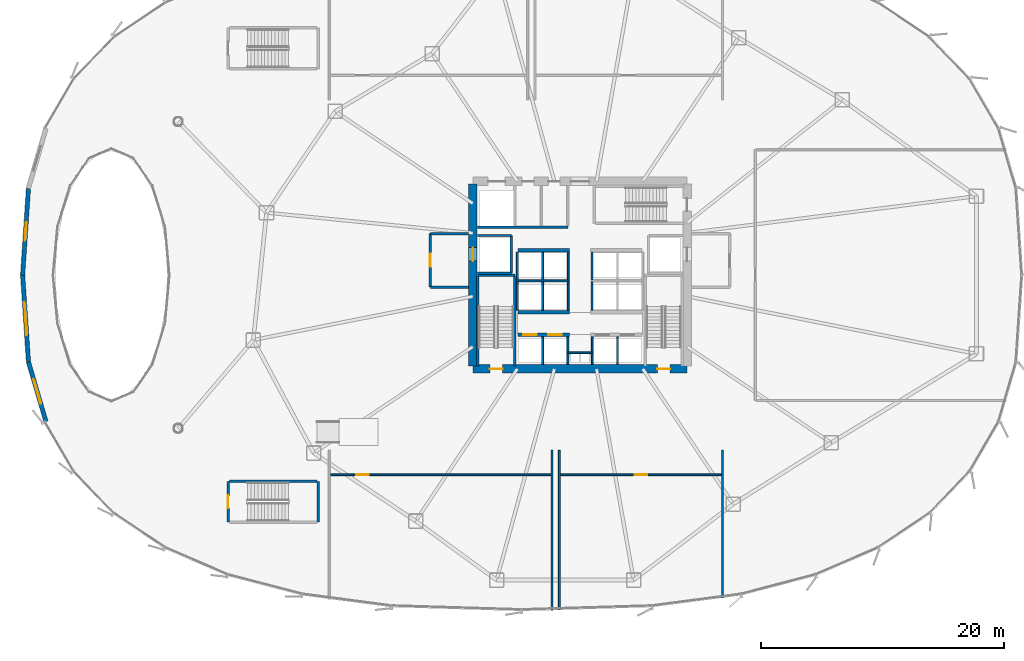
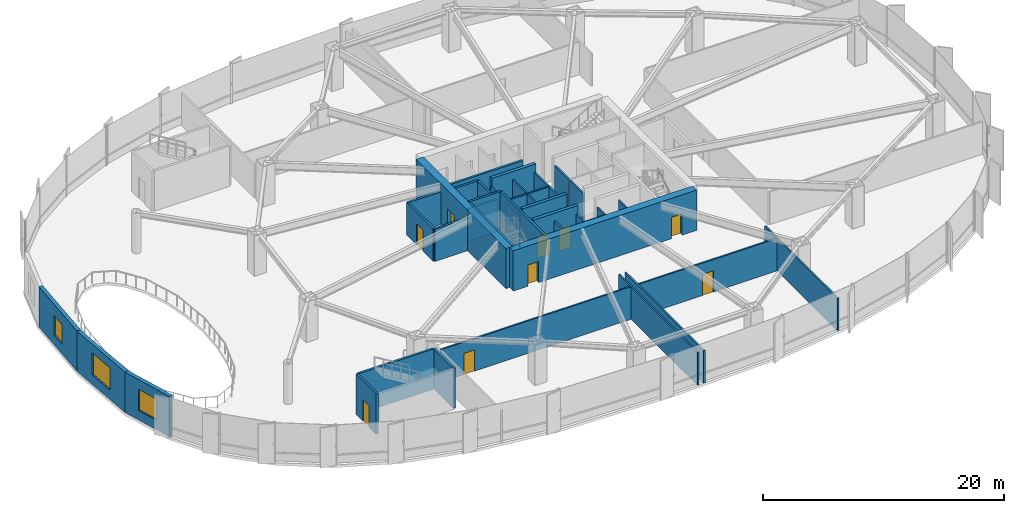
# One storey, part 24 of 34: 40 walls, 9 doors, 3 windows, 12 openings.
"""IFC4 building model written with IfcOpenShell, lengths in metres."""

from ifc_helpers import new_model, si_unit, direction, frame, frame_2d, origin, place, context, subcontext, project, spatial, rectangle, extrude, source, transform, mapped, material, layer, layer_set, type_object, element, fill, save


model = new_model("IFC4")

# Units and contexts
model_context = context("Model", 3, precision=1e-05, world=origin(), true_north=direction((0.0, 1.0)))
body_context = subcontext(model_context, "Body", "Model", "MODEL_VIEW")
ifc_project = project(units=[si_unit("LENGTHUNIT", "METRE"), si_unit("AREAUNIT", "SQUARE_METRE"), si_unit("VOLUMEUNIT", "CUBIC_METRE"), si_unit("PLANEANGLEUNIT", "RADIAN"), si_unit("MASSUNIT", "GRAM", prefix="KILO"), si_unit("THERMODYNAMICTEMPERATUREUNIT", "KELVIN")], contexts=[model_context])

# Site, building, storey
site_placement = place(None, origin())
site = spatial("IfcSite", under=ifc_project, at=site_placement, CompositionType="ELEMENT")
building_placement = place(site_placement, origin())
building = spatial("IfcBuilding", under=site, at=building_placement, Name="Kethvar Cultural Tower", CompositionType="ELEMENT")
storey_placement = place(building_placement, frame((0.0, 0.0, 19.60009765625)))
storey = spatial("IfcBuildingStorey", under=building, at=storey_placement, Name="L04", CompositionType="ELEMENT", Elevation=19.60009765625)

# Wall, openings, doors
ifc_material_1 = material(Name="Concrete C60/75", Category="concrete")
ifc_layer_1 = layer(ifc_material_1, 0.699951171875, Name="Concrete C60/75", Category="concrete")
ifc_layer_set_1 = layer_set([ifc_layer_1], Name="Concrete C60/75 (700 mm)")
wall_type_1 = type_object("IfcWallType", Name="WL-CORE-700", PredefinedType="SHEAR", material=ifc_layer_set_1)
wall_1_placement = place(storey_placement, frame((38.0, 20.10009765625, 0.0), z_axis=(0.0, 0.0, 1.0), x_axis=(1.0, 0.0, 0.0)))
wall_1 = element("IfcWall", 1, at=wall_1_placement, inside=storey, type_object=wall_type_1, Name="L04 Core Shear Wall S", PredefinedType="SHEAR", context=body_context, shape_type="SweptSolid", body=[
    extrude(rectangle(XDim=17.60009765625, YDim=0.699951171875, at=frame_2d((8.800048828125, 0.0))), origin(), (0.0, 0.0, 1.0), 4.079833984375),
])
opening_1_placement = place(wall_1_placement, frame((1.39990234375, 0.0, 0.0)))
opening_1 = element("IfcOpeningElement", 2, at=opening_1_placement, cuts=wall_1, Name="Opening D-L04-S1", PredefinedType="OPENING", context=body_context, shape_type="SweptSolid", body=[
    extrude(rectangle(XDim=1.050048828125, YDim=2.14990234375, at=frame_2d((0.52490234375, 1.074951171875))), frame((0.0, 0.35986328125, 0.0), z_axis=(0.0, -1.0, 0.0), x_axis=(1.0, 0.0, 0.0)), (0.0, 0.0, 1.0), 0.719970703125),
])
opening_2_placement = place(wall_1_placement, frame((15.14990234375, 0.0, 0.0)))
opening_2 = element("IfcOpeningElement", 3, at=opening_2_placement, cuts=wall_1, Name="Opening D-L04-ST2", PredefinedType="OPENING", context=body_context, shape_type="SweptSolid", body=[
    extrude(rectangle(XDim=1.050048828125, YDim=2.14990234375, at=frame_2d((0.52490234375, 1.074951171875))), frame((0.0, 0.35986328125, 0.0), z_axis=(0.0, -1.0, 0.0), x_axis=(1.0, 0.0, 0.0)), (0.0, 0.0, 1.0), 0.719970703125),
])
ifc_material_2 = material(Name="Steel S355J2", Category="steel")
door_type_1 = type_object("IfcDoorType", Name="DR-FD60-1050", OperationType="NOTDEFINED", PredefinedType="DOOR", material=ifc_material_2)
shared_shape_1 = source(origin(), body_context, "Body", "SweptSolid", [
    extrude(rectangle(XDim=1.050048828125, YDim=2.14990234375, at=frame_2d((0.52490234375, 1.074951171875))), frame((0.0, 0.02490234375, 0.0), z_axis=(0.0, -1.0, 0.0), x_axis=(1.0, 0.0, 0.0)), (0.0, 0.0, 1.0), 0.050048828125),
])
door_1_placement = place(opening_1_placement, origin())
door_1 = element("IfcDoor", 4, at=door_1_placement, inside=storey, type_object=door_type_1, Name="L04 Exit Stair 1 Door", OperationType="SINGLE_SWING_LEFT", OverallHeight=2.14990234375, OverallWidth=1.050048828125, PredefinedType="DOOR", context=body_context, shape_type="MappedRepresentation", body=[
    mapped(shared_shape_1, transform((0.0, 0.0, 0.0), scale=1.0)),
])
fill(opening_1, door_1)
door_2_placement = place(opening_2_placement, origin())
door_2 = element("IfcDoor", 5, at=door_2_placement, inside=storey, type_object=door_type_1, Name="L04 Exit Stair 2 Door", OperationType="SINGLE_SWING_RIGHT", OverallHeight=2.14990234375, OverallWidth=1.050048828125, PredefinedType="DOOR", context=body_context, shape_type="MappedRepresentation", body=[
    mapped(shared_shape_1, transform((0.0, 0.0, 0.0), scale=1.0)),
])
fill(opening_2, door_2)

# Wall, opening, door
wall_2_placement = place(storey_placement, frame((38.0, 35.260009765625, 0.0), z_axis=(0.0, 0.0, 1.0), x_axis=(0.0, -1.0, 0.0)))
wall_2 = element("IfcWall", 6, at=wall_2_placement, inside=storey, type_object=wall_type_1, Name="L04 Core Shear Wall W", PredefinedType="SHEAR", context=body_context, shape_type="SweptSolid", body=[
    extrude(rectangle(XDim=14.919921875, YDim=0.699951171875, at=frame_2d((7.4599609375, 0.0))), origin(), (0.0, 0.0, 1.0), 4.079833984375),
])
opening_3_placement = place(wall_2_placement, frame((5.2099609375, 0.0, 0.0)))
opening_3 = element("IfcOpeningElement", 7, at=opening_3_placement, cuts=wall_2, Name="Opening LD-1", PredefinedType="OPENING", context=body_context, shape_type="SweptSolid", body=[
    extrude(rectangle(XDim=1.10009765625, YDim=2.199951171875, at=frame_2d((0.550048828125, 1.10009765625))), frame((0.0, 0.35986328125, 0.0), z_axis=(0.0, -1.0, 0.0), x_axis=(1.0, 0.0, 0.0)), (0.0, 0.0, 1.0), 0.719970703125),
])
door_type_2 = type_object("IfcDoorType", Name="DR-LIFT-SLIDE-1100", OperationType="NOTDEFINED", PredefinedType="DOOR", material=ifc_material_2)
shared_shape_2 = source(origin(), body_context, "Body", "SweptSolid", [
    extrude(rectangle(XDim=1.10009765625, YDim=2.199951171875, at=frame_2d((0.550048828125, 1.10009765625))), frame((0.0, 0.02490234375, 0.0), z_axis=(0.0, -1.0, 0.0), x_axis=(1.0, 0.0, 0.0)), (0.0, 0.0, 1.0), 0.050048828125),
])
door_3_placement = place(opening_3_placement, origin())
door_3 = element("IfcDoor", 8, at=door_3_placement, inside=storey, type_object=door_type_2, Name="L04 Firefighting Lift Landing Door FFL-01", OperationType="SLIDING_TO_LEFT", OverallHeight=2.199951171875, OverallWidth=1.10009765625, PredefinedType="DOOR", context=body_context, shape_type="MappedRepresentation", body=[
    mapped(shared_shape_2, transform((0.0, 0.0, 0.0), scale=1.0)),
])
fill(opening_3, door_3)

# Wall, opening, window
ifc_material_3 = material(Name="Concrete C40/50", Category="concrete")
ifc_layer_2 = layer(ifc_material_3, 0.35009765625, Name="Concrete C40/50", Category="concrete")
ifc_layer_set_2 = layer_set([ifc_layer_2], Name="Concrete C40/50 (350 mm)")
wall_type_2 = type_object("IfcWallType", Name="WL-EXT-PORTAL-350", PredefinedType="SOLIDWALL", material=ifc_layer_set_2)
wall_3_placement = place(storey_placement, frame((1.01953125, 27.785400390625, 0.0), z_axis=(0.0, 0.0, 1.0), x_axis=(0.067018998283, 0.997751699507, 0.0)))
wall_3 = element("IfcWall", 9, at=wall_3_placement, inside=storey, type_object=wall_type_2, Name="L04 Exterior Portal Wall 18", PredefinedType="SOLIDWALL", context=body_context, shape_type="SweptSolid", body=[
    extrude(rectangle(XDim=7.194580078125, YDim=0.35009765625, at=frame_2d((3.59716796875, 0.0))), origin(), (0.0, 0.0, 1.0), 4.079833984375),
])
opening_4_placement = place(wall_3_placement, frame((2.847412109375, 0.0, 0.949951171875)))
opening_4 = element("IfcOpeningElement", 10, at=opening_4_placement, cuts=wall_3, Name="Opening W-03", PredefinedType="OPENING", context=body_context, shape_type="SweptSolid", body=[
    extrude(rectangle(XDim=1.5, YDim=2.0, at=frame_2d((0.75, 1.0))), frame((0.0, 0.18505859375, 0.0), z_axis=(0.0, -1.0, 0.0), x_axis=(1.0, 0.0, 0.0)), (0.0, 0.0, 1.0), 0.3701171875),
])
ifc_material_4 = material(Name="Insulated Low-E Solar Glass", Category="glass")
window_type_1 = type_object("IfcWindowType", Name="WN-POD-1500", PartitioningType="SINGLE_PANEL", PredefinedType="WINDOW", material=ifc_material_4)
shared_shape_3 = source(origin(), body_context, "Body", "SweptSolid", [
    extrude(rectangle(XDim=1.5, YDim=2.0, at=frame_2d((0.75, 1.0))), frame((0.0, 0.030029296875, 0.0), z_axis=(0.0, -1.0, 0.0), x_axis=(1.0, 0.0, 0.0)), (0.0, 0.0, 1.0), 0.06005859375),
])
window_1_placement = place(opening_4_placement, origin())
window_1 = element("IfcWindow", 11, at=window_1_placement, inside=storey, type_object=window_type_1, Name="L04 Podium Window C17", OverallHeight=2.0, OverallWidth=1.5, PartitioningType="SINGLE_PANEL", PredefinedType="WINDOW", context=body_context, shape_type="MappedRepresentation", body=[
    mapped(shared_shape_3, transform((0.0, 0.0, 0.0), scale=1.0)),
])
fill(opening_4, window_1)

wall_4_placement = place(storey_placement, frame((1.501708984375, 20.635986328125, 0.0), z_axis=(0.0, 0.0, 1.0), x_axis=(-0.067016729273, 0.997751851914, 0.0)))
wall_4 = element("IfcWall", 12, at=wall_4_placement, inside=storey, type_object=wall_type_2, Name="L04 Exterior Portal Wall 19", PredefinedType="SOLIDWALL", context=body_context, shape_type="SweptSolid", body=[
    extrude(rectangle(XDim=7.19482421875, YDim=0.35009765625, at=frame_2d((3.597412109375, 0.0))), origin(), (0.0, 0.0, 1.0), 4.079833984375),
])
opening_5_placement = place(wall_4_placement, frame((2.247314453125, 0.0, 0.949951171875)))
opening_5 = element("IfcOpeningElement", 13, at=opening_5_placement, cuts=wall_4, Name="Opening W-01", PredefinedType="OPENING", context=body_context, shape_type="SweptSolid", body=[
    extrude(rectangle(XDim=2.699951171875, YDim=2.25, at=frame_2d((1.35009765625, 1.125))), frame((0.0, 0.18505859375, 0.0), z_axis=(0.0, -1.0, 0.0), x_axis=(1.0, 0.0, 0.0)), (0.0, 0.0, 1.0), 0.3701171875),
])
window_type_2 = type_object("IfcWindowType", Name="WN-POD-2700", PartitioningType="SINGLE_PANEL", PredefinedType="WINDOW", material=ifc_material_4)
shared_shape_4 = source(origin(), body_context, "Body", "SweptSolid", [
    extrude(rectangle(XDim=2.699951171875, YDim=2.25, at=frame_2d((1.35009765625, 1.125))), frame((0.0, 0.030029296875, 0.0), z_axis=(0.0, -1.0, 0.0), x_axis=(1.0, 0.0, 0.0)), (0.0, 0.0, 1.0), 0.06005859375),
])
window_2_placement = place(opening_5_placement, origin())
window_2 = element("IfcWindow", 14, at=window_2_placement, inside=storey, type_object=window_type_2, Name="L04 Podium Window C18", OverallHeight=2.25, OverallWidth=2.699951171875, PartitioningType="SINGLE_PANEL", PredefinedType="WINDOW", context=body_context, shape_type="MappedRepresentation", body=[
    mapped(shared_shape_4, transform((0.0, 0.0, 0.0), scale=1.0)),
])
fill(opening_5, window_2)

wall_5_placement = place(storey_placement, frame((2.93603515625, 15.770263671875, 0.0), z_axis=(0.0, 0.0, 1.0), x_axis=(-0.281735210535, 0.959492194416, 0.0)))
wall_5 = element("IfcWall", 15, at=wall_5_placement, inside=storey, type_object=wall_type_2, Name="L04 Exterior Portal Wall 20", PredefinedType="SOLIDWALL", context=body_context, shape_type="SweptSolid", body=[
    extrude(rectangle(XDim=5.12060546875, YDim=0.35009765625, at=frame_2d((2.560302734375, 0.0))), origin(), (0.0, 0.0, 1.0), 4.079833984375),
])
opening_6_placement = place(wall_5_placement, frame((1.51025390625, 0.0, 0.949951171875)))
opening_6 = element("IfcOpeningElement", 16, at=opening_6_placement, cuts=wall_5, Name="Opening W-02", PredefinedType="OPENING", context=body_context, shape_type="SweptSolid", body=[
    extrude(rectangle(XDim=2.10009765625, YDim=2.14990234375, at=frame_2d((1.050048828125, 1.074951171875))), frame((0.0, 0.18505859375, 0.0), z_axis=(0.0, -1.0, 0.0), x_axis=(1.0, 0.0, 0.0)), (0.0, 0.0, 1.0), 0.3701171875),
])
window_type_3 = type_object("IfcWindowType", Name="WN-POD-2100", PartitioningType="SINGLE_PANEL", PredefinedType="WINDOW", material=ifc_material_4)
shared_shape_5 = source(origin(), body_context, "Body", "SweptSolid", [
    extrude(rectangle(XDim=2.10009765625, YDim=2.14990234375, at=frame_2d((1.050048828125, 1.074951171875))), frame((0.0, 0.030029296875, 0.0), z_axis=(0.0, -1.0, 0.0), x_axis=(1.0, 0.0, 0.0)), (0.0, 0.0, 1.0), 0.06005859375),
])
window_3_placement = place(opening_6_placement, origin())
window_3 = element("IfcWindow", 17, at=window_3_placement, inside=storey, type_object=window_type_3, Name="L04 Podium Window C19", OverallHeight=2.14990234375, OverallWidth=2.10009765625, PartitioningType="SINGLE_PANEL", PredefinedType="WINDOW", context=body_context, shape_type="MappedRepresentation", body=[
    mapped(shared_shape_5, transform((0.0, 0.0, 0.0), scale=1.0)),
])
fill(opening_6, window_3)

# Walls
ifc_material_5 = material(Name="Gypsum Fireboard Partition")
ifc_layer_3 = layer(ifc_material_5, 0.14990234375, Name="Gypsum Fireboard Partition")
ifc_layer_set_3 = layer_set([ifc_layer_3], Name="Gypsum Fireboard Partition (150 mm)")
wall_type_3 = type_object("IfcWallType", Name="WL-FIRE-150", PredefinedType="PARTITIONING", material=ifc_layer_set_3)
wall_6_placement = place(storey_placement, frame((45.800048828125, 21.419921875, 0.0), z_axis=(0.0, 0.0, 1.0), x_axis=(1.0, 0.0, 0.0)))
element("IfcWall", 18, at=wall_6_placement, inside=storey, type_object=wall_type_3, Name="L04 Core Riser Wall", PredefinedType="PARTITIONING", context=body_context, shape_type="SweptSolid", body=[
    extrude(rectangle(XDim=2.0, YDim=0.14990234375, at=frame_2d((1.0, 0.0))), origin(), (0.0, 0.0, 1.0), 3.29296875),
])
for number, where, z_axis, x_axis, name in (
    (19, (45.800048828125, 20.47998046875, 0.0), (0.0, 0.0, 1.0), (0.0, 1.0, 0.0), "L04 Core Riser West Wall"),
    (20, (47.800048828125, 20.47998046875, 0.0), (0.0, 0.0, 1.0), (0.0, 1.0, 0.0), "L04 Core Riser East Wall"),
):
    element("IfcWall", number, at=place(storey_placement, frame(where, z_axis=z_axis, x_axis=x_axis)), inside=storey, type_object=wall_type_3, Name=name, PredefinedType="PARTITIONING", context=body_context, shape_type="SweptSolid", body=[
        extrude(rectangle(XDim=2.239990234375, YDim=0.14990234375, at=frame_2d((1.1201171875, 0.0))), origin(), (0.0, 0.0, 1.0), 3.29296875),
    ])
for number, where, z_axis, x_axis, name in (
    (21, (43.72509765625, 20.4599609375, 0.0), (0.0, 0.0, 1.0), (0.0, 1.0, 0.0), "L04 Low-Rise Lift Shaft Divider W"),
    (22, (49.875, 20.4599609375, 0.0), (0.0, 0.0, 1.0), (0.0, 1.0, 0.0), "L04 Low-Rise Lift Shaft Divider E"),
):
    element("IfcWall", number, at=place(storey_placement, frame(where, z_axis=z_axis, x_axis=x_axis)), inside=storey, type_object=wall_type_3, Name=name, PredefinedType="PARTITIONING", context=body_context, shape_type="SweptSolid", body=[
        extrude(rectangle(XDim=2.27001953125, YDim=0.14990234375, at=frame_2d((1.135009765625, 0.0))), origin(), (0.0, 0.0, 1.0), 3.29296875),
    ])
wall_7_placement = place(storey_placement, frame((41.580078125, 27.324951171875, 0.0), z_axis=(0.0, 0.0, 1.0), x_axis=(1.0, 0.0, 0.0)))
element("IfcWall", 23, at=wall_7_placement, inside=storey, type_object=wall_type_3, Name="L04 Mid-High Lift Shaft Back Wall W", PredefinedType="PARTITIONING", context=body_context, shape_type="SweptSolid", body=[
    extrude(rectangle(XDim=4.31982421875, YDim=0.14990234375, at=frame_2d((2.159912109375, 0.0))), origin(), (0.0, 0.0, 1.0), 3.29296875),
])
for number, where, z_axis, x_axis, name in (
    (24, (41.64990234375, 24.919921875, 0.0), (0.0, 0.0, 1.0), (0.0, 1.0, 0.0), "L04 Mid-Rise Lift Shaft Outer Wall W"),
    (25, (43.72509765625, 24.919921875, 0.0), (0.0, 0.0, 1.0), (0.0, 1.0, 0.0), "L04 Mid-Rise Lift Shaft Divider W"),
    (26, (45.824951171875, 24.919921875, 0.0), (0.0, 0.0, 1.0), (0.0, 1.0, 0.0), "L04 Mid-Rise Lift Shaft Concourse Wall W"),
    (27, (47.77490234375, 24.919921875, 0.0), (0.0, 0.0, 1.0), (0.0, 1.0, 0.0), "L04 Mid-Rise Lift Shaft Concourse Wall E"),
):
    element("IfcWall", number, at=place(storey_placement, frame(where, z_axis=z_axis, x_axis=x_axis)), inside=storey, type_object=wall_type_3, Name=name, PredefinedType="PARTITIONING", context=body_context, shape_type="SweptSolid", body=[
        extrude(rectangle(XDim=2.320068359375, YDim=0.14990234375, at=frame_2d((1.16015625, 0.0))), origin(), (0.0, 0.0, 1.0), 3.29296875),
    ])
for number, where, z_axis, x_axis, name in (
    (28, (41.64990234375, 27.409912109375, 0.0), (0.0, 0.0, 1.0), (0.0, 1.0, 0.0), "L04 High-Rise Lift Shaft Outer Wall W"),
    (29, (43.72509765625, 27.409912109375, 0.0), (0.0, 0.0, 1.0), (0.0, 1.0, 0.0), "L04 High-Rise Lift Shaft Divider W"),
    (30, (45.824951171875, 27.409912109375, 0.0), (0.0, 0.0, 1.0), (0.0, 1.0, 0.0), "L04 High-Rise Lift Shaft Concourse Wall W"),
    (31, (47.77490234375, 27.409912109375, 0.0), (0.0, 0.0, 1.0), (0.0, 1.0, 0.0), "L04 High-Rise Lift Shaft Concourse Wall E"),
):
    element("IfcWall", number, at=place(storey_placement, frame(where, z_axis=z_axis, x_axis=x_axis)), inside=storey, type_object=wall_type_3, Name=name, PredefinedType="PARTITIONING", context=body_context, shape_type="SweptSolid", body=[
        extrude(rectangle(XDim=2.27001953125, YDim=0.14990234375, at=frame_2d((1.135009765625, 0.0))), origin(), (0.0, 0.0, 1.0), 3.29296875),
    ])

# Wall, opening, door
wall_8_placement = place(storey_placement, frame((26.199951171875, 11.39990234375, 0.0), z_axis=(0.0, 0.0, 1.0), x_axis=(1.0, 0.0, 0.0)))
wall_8 = element("IfcWall", 32, at=wall_8_placement, inside=storey, type_object=wall_type_3, Name="L04 Rare Books Reading Hall Wall", PredefinedType="PARTITIONING", context=body_context, shape_type="SweptSolid", body=[
    extrude(rectangle(XDim=18.300048828125, YDim=0.14990234375, at=frame_2d((9.14990234375, 0.0))), origin(), (0.0, 0.0, 1.0), 3.29296875),
])
opening_7_placement = place(wall_8_placement, frame((2.199951171875, 0.0, 0.0)))
opening_7 = element("IfcOpeningElement", 33, at=opening_7_placement, cuts=wall_8, Name="Opening D-L04-P2", PredefinedType="OPENING", context=body_context, shape_type="SweptSolid", body=[
    extrude(rectangle(XDim=1.050048828125, YDim=2.14990234375, at=frame_2d((0.52490234375, 1.074951171875))), frame((0.0, 0.0849609375, 0.0), z_axis=(0.0, -1.0, 0.0), x_axis=(1.0, 0.0, 0.0)), (0.0, 0.0, 1.0), 0.169921875),
])
door_4_placement = place(opening_7_placement, origin())
door_4 = element("IfcDoor", 34, at=door_4_placement, inside=storey, type_object=door_type_1, Name="L04 Rare Books Reading Hall Door", OperationType="SINGLE_SWING_LEFT", OverallHeight=2.14990234375, OverallWidth=1.050048828125, PredefinedType="DOOR", context=body_context, shape_type="MappedRepresentation", body=[
    mapped(shared_shape_1, transform((0.0, 0.0, 0.0), scale=1.0)),
])
fill(opening_7, door_4)

wall_9_placement = place(storey_placement, frame((45.10009765625, 11.39990234375, 0.0), z_axis=(0.0, 0.0, 1.0), x_axis=(1.0, 0.0, 0.0)))
wall_9 = element("IfcWall", 35, at=wall_9_placement, inside=storey, type_object=wall_type_3, Name="L04 Catalogue Bookshop Annex Wall", PredefinedType="PARTITIONING", context=body_context, shape_type="SweptSolid", body=[
    extrude(rectangle(XDim=13.39990234375, YDim=0.14990234375, at=frame_2d((6.699951171875, 0.0))), origin(), (0.0, 0.0, 1.0), 3.29296875),
])
opening_8_placement = place(wall_9_placement, frame((6.175048828125, 0.0, 0.0)))
opening_8 = element("IfcOpeningElement", 36, at=opening_8_placement, cuts=wall_9, Name="Opening D-L04-P3", PredefinedType="OPENING", context=body_context, shape_type="SweptSolid", body=[
    extrude(rectangle(XDim=1.050048828125, YDim=2.14990234375, at=frame_2d((0.52490234375, 1.074951171875))), frame((0.0, 0.0849609375, 0.0), z_axis=(0.0, -1.0, 0.0), x_axis=(1.0, 0.0, 0.0)), (0.0, 0.0, 1.0), 0.169921875),
])
door_5_placement = place(opening_8_placement, origin())
door_5 = element("IfcDoor", 37, at=door_5_placement, inside=storey, type_object=door_type_1, Name="L04 Catalogue Bookshop Annex Door", OperationType="SINGLE_SWING_LEFT", OverallHeight=2.14990234375, OverallWidth=1.050048828125, PredefinedType="DOOR", context=body_context, shape_type="MappedRepresentation", body=[
    mapped(shared_shape_1, transform((0.0, 0.0, 0.0), scale=1.0)),
])
fill(opening_8, door_5)

# Walls
ifc_layer_4 = layer(ifc_material_3, 0.199951171875, Name="Concrete C40/50", Category="concrete")
ifc_layer_set_4 = layer_set([ifc_layer_4], Name="Concrete C40/50 (200 mm)")
wall_type_4 = type_object("IfcWallType", Name="WL-FIRE-200", PredefinedType="PARTITIONING", material=ifc_layer_set_4)
wall_10_placement = place(storey_placement, frame((41.14990234375, 27.949951171875, 0.0), z_axis=(0.0, 0.0, 1.0), x_axis=(0.0, 1.0, 0.0)))
element("IfcWall", 38, at=wall_10_placement, inside=storey, type_object=wall_type_4, Name="L04 FFL-01 Shaft Inner Wall", PredefinedType="PARTITIONING", context=body_context, shape_type="SweptSolid", body=[
    extrude(rectangle(XDim=3.10009765625, YDim=0.199951171875, at=frame_2d((1.550048828125, 0.0))), origin(), (0.0, 0.0, 1.0), 3.29296875),
])
for number, where, z_axis, x_axis, name in (
    (39, (38.360107421875, 27.949951171875, 0.0), (0.0, 0.0, 1.0), (1.0, 0.0, 0.0), "L04 FFL-01 Shaft South Wall"),
    (40, (38.360107421875, 31.050048828125, 0.0), (0.0, 0.0, 1.0), (1.0, 0.0, 0.0), "L04 FFL-01 Shaft North Wall"),
):
    element("IfcWall", number, at=place(storey_placement, frame(where, z_axis=z_axis, x_axis=x_axis)), inside=storey, type_object=wall_type_4, Name=name, PredefinedType="PARTITIONING", context=body_context, shape_type="SweptSolid", body=[
        extrude(rectangle(XDim=2.789794921875, YDim=0.199951171875, at=frame_2d((1.39501953125, 0.0))), origin(), (0.0, 0.0, 1.0), 3.29296875),
    ])

# Wall, opening, door
wall_11_placement = place(storey_placement, frame((34.5, 31.199951171875, 0.0), z_axis=(0.0, 0.0, 1.0), x_axis=(0.0, -1.0, 0.0)))
wall_11 = element("IfcWall", 41, at=wall_11_placement, inside=storey, type_object=wall_type_4, Name="L04 Firefighting Lobby 1 Wall", PredefinedType="PARTITIONING", context=body_context, shape_type="SweptSolid", body=[
    extrude(rectangle(XDim=4.39990234375, YDim=0.199951171875, at=frame_2d((2.199951171875, 0.0))), origin(), (0.0, 0.0, 1.0), 3.29296875),
])
opening_9_placement = place(wall_11_placement, frame((1.64990234375, 0.0, 0.0)))
opening_9 = element("IfcOpeningElement", 42, at=opening_9_placement, cuts=wall_11, Name="Opening D-L04-F1", PredefinedType="OPENING", context=body_context, shape_type="SweptSolid", body=[
    extrude(rectangle(XDim=1.050048828125, YDim=2.14990234375, at=frame_2d((0.52490234375, 1.074951171875))), frame((0.0, 0.10986328125, 0.0), z_axis=(0.0, -1.0, 0.0), x_axis=(1.0, 0.0, 0.0)), (0.0, 0.0, 1.0), 0.219970703125),
])
door_6_placement = place(opening_9_placement, origin())
door_6 = element("IfcDoor", 43, at=door_6_placement, inside=storey, type_object=door_type_1, Name="L04 Firefighting Lobby 1 Fire Door", OperationType="SINGLE_SWING_LEFT", OverallHeight=2.14990234375, OverallWidth=1.050048828125, PredefinedType="DOOR", context=body_context, shape_type="MappedRepresentation", body=[
    mapped(shared_shape_1, transform((0.0, 0.0, 0.0), scale=1.0)),
])
fill(opening_9, door_6)

# Walls
for number, where, z_axis, x_axis, name in (
    (44, (34.5, 26.800048828125, 0.0), (0.0, 0.0, 1.0), (1.0, 0.0, 0.0), "L04 FF Lobby 1 South Wall"),
    (45, (34.5, 31.199951171875, 0.0), (0.0, 0.0, 1.0), (1.0, 0.0, 0.0), "L04 FF Lobby 1 North Wall"),
):
    element("IfcWall", number, at=place(storey_placement, frame(where, z_axis=z_axis, x_axis=x_axis)), inside=storey, type_object=wall_type_4, Name=name, PredefinedType="PARTITIONING", context=body_context, shape_type="SweptSolid", body=[
        extrude(rectangle(XDim=3.139892578125, YDim=0.199951171875, at=frame_2d((1.56982421875, 0.0))), origin(), (0.0, 0.0, 1.0), 3.29296875),
    ])
wall_12_placement = place(storey_placement, frame((38.360107421875, 31.72998046875, 0.0), z_axis=(0.0, 0.0, 1.0), x_axis=(1.0, 0.0, 0.0)))
element("IfcWall", 46, at=wall_12_placement, inside=storey, type_object=wall_type_4, Name="L04 North Core Sanitary South Wall", PredefinedType="PARTITIONING", context=body_context, shape_type="SweptSolid", body=[
    extrude(rectangle(XDim=7.43994140625, YDim=0.199951171875, at=frame_2d((3.719970703125, 0.0))), origin(), (0.0, 0.0, 1.0), 3.29296875),
])
ifc_material_6 = material(Name="Gypsum Acoustic Partition")
ifc_layer_5 = layer(ifc_material_6, 0.14990234375, Name="Gypsum Acoustic Partition")
ifc_layer_set_5 = layer_set([ifc_layer_5], Name="Gypsum Acoustic Partition (150 mm)")
wall_type_5 = type_object("IfcWallType", Name="WL-PART-150", PredefinedType="PARTITIONING", material=ifc_layer_set_5)
wall_13_placement = place(storey_placement, frame((44.5, 0.275390625, 0.0), z_axis=(0.0, 0.0, 1.0), x_axis=(0.0, 1.0, 0.0)))
element("IfcWall", 47, at=wall_13_placement, inside=storey, type_object=wall_type_5, Name="L04 Rare Books Reading Hall Side Wall R", PredefinedType="PARTITIONING", context=body_context, shape_type="SweptSolid", body=[
    extrude(rectangle(XDim=13.12451171875, YDim=0.14990234375, at=frame_2d((6.562255859375, 0.0))), origin(), (0.0, 0.0, 1.0), 3.29296875),
])
wall_14_placement = place(storey_placement, frame((45.10009765625, 0.29345703125, 0.0), z_axis=(0.0, 0.0, 1.0), x_axis=(0.0, 1.0, 0.0)))
element("IfcWall", 48, at=wall_14_placement, inside=storey, type_object=wall_type_5, Name="L04 Catalogue Bookshop Annex Side Wall L", PredefinedType="PARTITIONING", context=body_context, shape_type="SweptSolid", body=[
    extrude(rectangle(XDim=13.1064453125, YDim=0.14990234375, at=frame_2d((6.55322265625, 0.0))), origin(), (0.0, 0.0, 1.0), 3.29296875),
])
wall_15_placement = place(storey_placement, frame((58.5, 1.285400390625, 0.0), z_axis=(0.0, 0.0, 1.0), x_axis=(0.0, 1.0, 0.0)))
element("IfcWall", 49, at=wall_15_placement, inside=storey, type_object=wall_type_5, Name="L04 Catalogue Bookshop Annex Side Wall R", PredefinedType="PARTITIONING", context=body_context, shape_type="SweptSolid", body=[
    extrude(rectangle(XDim=12.114501953125, YDim=0.14990234375, at=frame_2d((6.05712890625, 0.0))), origin(), (0.0, 0.0, 1.0), 3.29296875),
])

# Wall, openings, doors
ifc_material_7 = material(Name="Concrete C50/60", Category="concrete")
ifc_layer_6 = layer(ifc_material_7, 0.300048828125, Name="Concrete C50/60", Category="concrete")
ifc_layer_set_6 = layer_set([ifc_layer_6], Name="Concrete C50/60 (300 mm)")
wall_type_6 = type_object("IfcWallType", Name="WL-SHAFT-300", PredefinedType="SHEAR", material=ifc_layer_set_6)
wall_16_placement = place(storey_placement, frame((41.699951171875, 22.89990234375, 0.0), z_axis=(0.0, 0.0, 1.0), x_axis=(1.0, 0.0, 0.0)))
wall_16 = element("IfcWall", 50, at=wall_16_placement, inside=storey, type_object=wall_type_6, Name="L04 Core Lift Spine Wall MID1W", PredefinedType="SHEAR", context=body_context, shape_type="SweptSolid", body=[
    extrude(rectangle(XDim=4.25, YDim=0.300048828125, at=frame_2d((2.125, 0.0))), origin(), (0.0, 0.0, 1.0), 4.079833984375),
])
opening_10_placement = place(wall_16_placement, frame((0.449951171875, 0.0, 0.0)))
opening_10 = element("IfcOpeningElement", 51, at=opening_10_placement, cuts=wall_16, Name="Opening LD-L1", PredefinedType="OPENING", context=body_context, shape_type="SweptSolid", body=[
    extrude(rectangle(XDim=1.10009765625, YDim=2.199951171875, at=frame_2d((0.550048828125, 1.10009765625))), frame((0.0, 0.159912109375, 0.0), z_axis=(0.0, -1.0, 0.0), x_axis=(1.0, 0.0, 0.0)), (0.0, 0.0, 1.0), 0.320068359375),
])
opening_11_placement = place(wall_16_placement, frame((2.5, 0.0, 0.0)))
opening_11 = element("IfcOpeningElement", 52, at=opening_11_placement, cuts=wall_16, Name="Opening LD-L2", PredefinedType="OPENING", context=body_context, shape_type="SweptSolid", body=[
    extrude(rectangle(XDim=1.10009765625, YDim=2.199951171875, at=frame_2d((0.550048828125, 1.10009765625))), frame((0.0, 0.159912109375, 0.0), z_axis=(0.0, -1.0, 0.0), x_axis=(1.0, 0.0, 0.0)), (0.0, 0.0, 1.0), 0.320068359375),
])
door_7_placement = place(opening_10_placement, origin())
door_7 = element("IfcDoor", 53, at=door_7_placement, inside=storey, type_object=door_type_2, Name="L04 Low-Rise Lift Landing Door L1", OperationType="SLIDING_TO_LEFT", OverallHeight=2.199951171875, OverallWidth=1.10009765625, PredefinedType="DOOR", context=body_context, shape_type="MappedRepresentation", body=[
    mapped(shared_shape_2, transform((0.0, 0.0, 0.0), scale=1.0)),
])
fill(opening_10, door_7)
door_8_placement = place(opening_11_placement, origin())
door_8 = element("IfcDoor", 54, at=door_8_placement, inside=storey, type_object=door_type_2, Name="L04 Low-Rise Lift Landing Door L2", OperationType="SLIDING_TO_LEFT", OverallHeight=2.199951171875, OverallWidth=1.10009765625, PredefinedType="DOOR", context=body_context, shape_type="MappedRepresentation", body=[
    mapped(shared_shape_2, transform((0.0, 0.0, 0.0), scale=1.0)),
])
fill(opening_11, door_8)

# Walls
for number, where, z_axis, x_axis, name in (
    (55, (41.699951171875, 24.75, 0.0), (0.0, 0.0, 1.0), (1.0, 0.0, 0.0), "L04 Core Lift Spine Wall MID2W"),
    (56, (41.699951171875, 29.85009765625, 0.0), (0.0, 0.0, 1.0), (1.0, 0.0, 0.0), "L04 Core Lift Spine Wall MID3W"),
):
    element("IfcWall", number, at=place(storey_placement, frame(where, z_axis=z_axis, x_axis=x_axis)), inside=storey, type_object=wall_type_6, Name=name, PredefinedType="SHEAR", context=body_context, shape_type="SweptSolid", body=[
        extrude(rectangle(XDim=4.25, YDim=0.300048828125, at=frame_2d((2.125, 0.0))), origin(), (0.0, 0.0, 1.0), 4.079833984375),
    ])
ifc_layer_7 = layer(ifc_material_7, 0.199951171875, Name="Concrete C50/60", Category="concrete")
ifc_layer_set_7 = layer_set([ifc_layer_7], Name="Concrete C50/60 (200 mm)")
wall_type_7 = type_object("IfcWallType", Name="WL-STSHAFT-200", PredefinedType="SHEAR", material=ifc_layer_set_7)
wall_17_placement = place(storey_placement, frame((38.389892578125, 27.800048828125, 0.0), z_axis=(0.0, 0.0, 1.0), x_axis=(1.0, 0.0, 0.0)))
element("IfcWall", 57, at=wall_17_placement, inside=storey, type_object=wall_type_7, Name="L04 ST-01 Stair Shaft Wall FAR", PredefinedType="SHEAR", context=body_context, shape_type="SweptSolid", body=[
    extrude(rectangle(XDim=3.06005859375, YDim=0.199951171875, at=frame_2d((1.530029296875, 0.0))), origin(), (0.0, 0.0, 1.0), 4.079833984375),
])
for number, where, z_axis, x_axis, name in (
    (58, (41.449951171875, 27.699951171875, 0.0), (0.0, 0.0, 1.0), (0.0, -1.0, 0.0), "L04 ST-01 Stair Shaft Wall LEFT"),
    (59, (38.389892578125, 20.35009765625, 0.0), (0.0, 0.0, 1.0), (0.0, 1.0, 0.0), "L04 ST-01 Stair Shaft Wall RIGHT"),
):
    element("IfcWall", number, at=place(storey_placement, frame(where, z_axis=z_axis, x_axis=x_axis)), inside=storey, type_object=wall_type_7, Name=name, PredefinedType="SHEAR", context=body_context, shape_type="SweptSolid", body=[
        extrude(rectangle(XDim=7.349853515625, YDim=0.199951171875, at=frame_2d((3.6748046875, 0.0))), origin(), (0.0, 0.0, 1.0), 4.079833984375),
    ])

# Wall, opening, door
wall_18_placement = place(storey_placement, frame((17.89990234375, 7.5, 0.0), z_axis=(0.0, 0.0, 1.0), x_axis=(0.0, 1.0, 0.0)))
wall_18 = element("IfcWall", 60, at=wall_18_placement, inside=storey, type_object=wall_type_7, Name="L04 ST-04 Stair Shaft Wall NEAR", PredefinedType="SHEAR", context=body_context, shape_type="SweptSolid", body=[
    extrude(rectangle(XDim=3.360107421875, YDim=0.199951171875, at=frame_2d((1.68017578125, 0.0))), origin(), (0.0, 0.0, 1.0), 4.079833984375),
])
opening_12_placement = place(wall_18_placement, frame((1.155029296875, 0.0, 0.0)))
opening_12 = element("IfcOpeningElement", 61, at=opening_12_placement, cuts=wall_18, Name="Opening D-L04-ST4", PredefinedType="OPENING", context=body_context, shape_type="SweptSolid", body=[
    extrude(rectangle(XDim=1.050048828125, YDim=2.14990234375, at=frame_2d((0.52490234375, 1.074951171875))), frame((0.0, 0.10986328125, 0.0), z_axis=(0.0, -1.0, 0.0), x_axis=(1.0, 0.0, 0.0)), (0.0, 0.0, 1.0), 0.219970703125),
])
door_9_placement = place(opening_12_placement, origin())
door_9 = element("IfcDoor", 62, at=door_9_placement, inside=storey, type_object=door_type_1, Name="L04 ST-04 Stair Landing Fire Door", OperationType="SINGLE_SWING_LEFT", OverallHeight=2.14990234375, OverallWidth=1.050048828125, PredefinedType="DOOR", context=body_context, shape_type="MappedRepresentation", body=[
    mapped(shared_shape_1, transform((0.0, 0.0, 0.0), scale=1.0)),
])
fill(opening_12, door_9)

# Walls
wall_19_placement = place(storey_placement, frame((25.300048828125, 10.860107421875, 0.0), z_axis=(0.0, 0.0, 1.0), x_axis=(0.0, -1.0, 0.0)))
element("IfcWall", 63, at=wall_19_placement, inside=storey, type_object=wall_type_7, Name="L04 ST-04 Stair Shaft Wall FAR", PredefinedType="SHEAR", context=body_context, shape_type="SweptSolid", body=[
    extrude(rectangle(XDim=3.360107421875, YDim=0.199951171875, at=frame_2d((1.68017578125, 0.0))), origin(), (0.0, 0.0, 1.0), 4.079833984375),
])
wall_20_placement = place(storey_placement, frame((18.0, 10.860107421875, 0.0), z_axis=(0.0, 0.0, 1.0), x_axis=(1.0, 0.0, 0.0)))
element("IfcWall", 64, at=wall_20_placement, inside=storey, type_object=wall_type_7, Name="L04 ST-04 Stair Shaft Wall RIGHT", PredefinedType="SHEAR", context=body_context, shape_type="SweptSolid", body=[
    extrude(rectangle(XDim=7.199951171875, YDim=0.199951171875, at=frame_2d((3.60009765625, 0.0))), origin(), (0.0, 0.0, 1.0), 4.079833984375),
])

save(model, "model.ifc")
